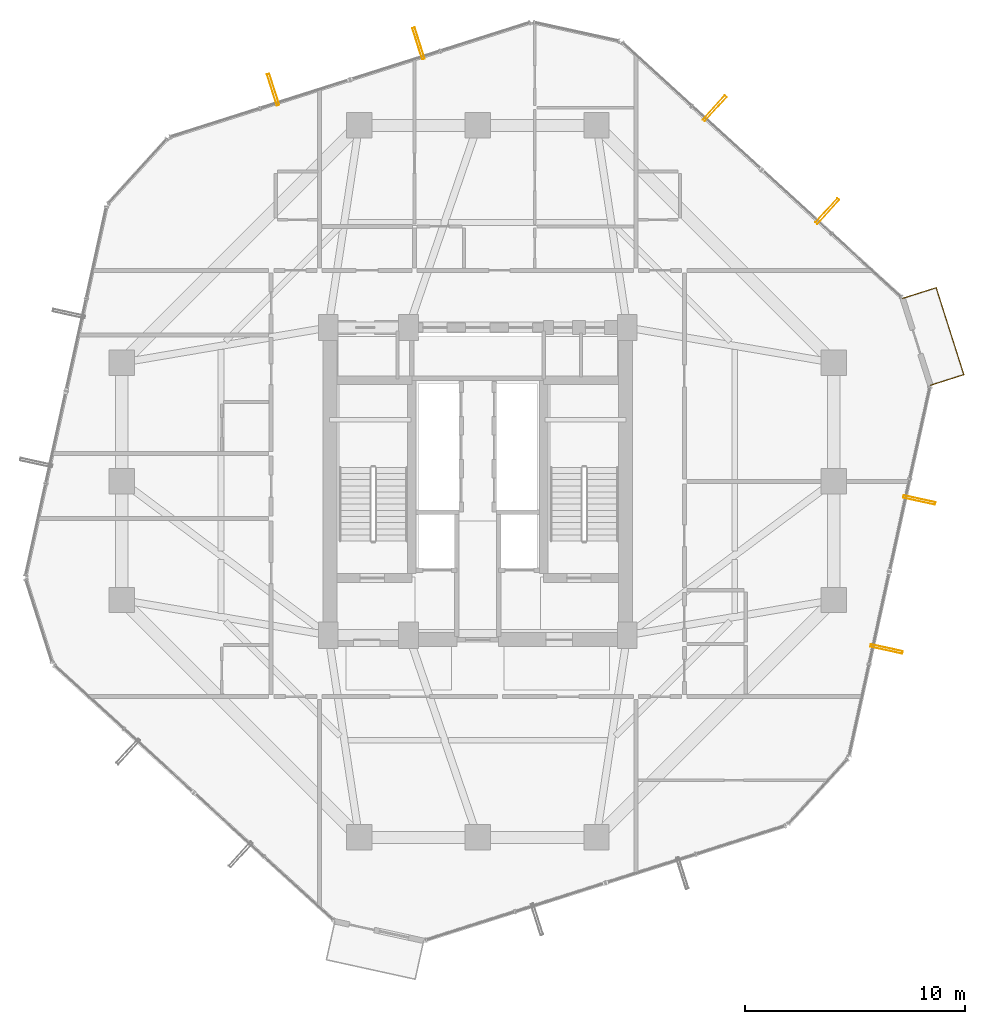
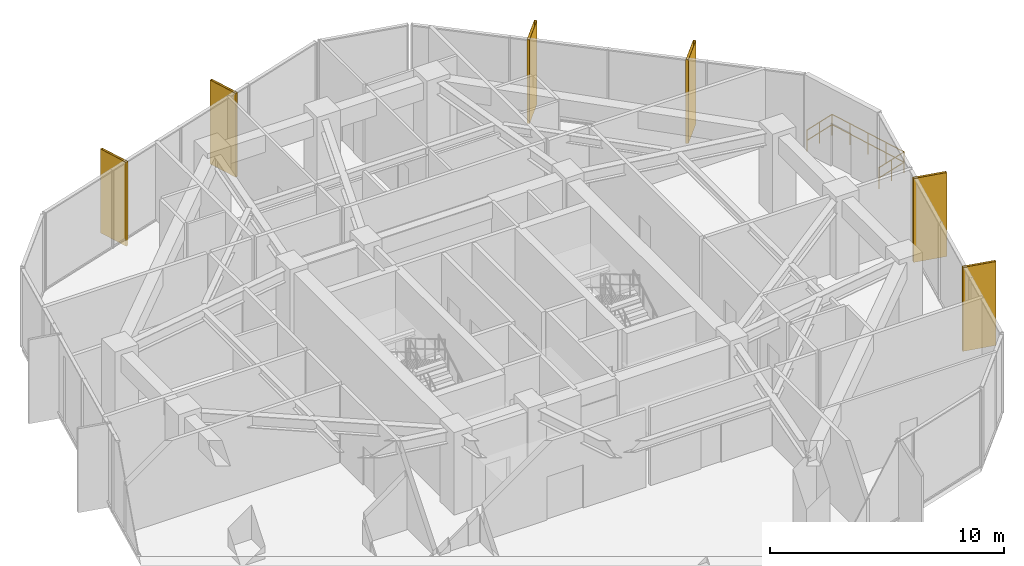
# One storey, part 28 of 28: 6 shading devices, 1 railing.
"""IFC4 building model written with IfcOpenShell, lengths in metres."""

from ifc_helpers import new_model, si_unit, direction, frame, origin, origin_2d, place, context, subcontext, project, spatial, hollow_rectangle, circle, extrude, material, material_profile, profile_set, type_object, element, save


model = new_model("IFC4")

# Units and contexts
model_context = context("Model", 3, precision=1e-05, world=origin(), true_north=direction((0.0, 1.0)))
body_context = subcontext(model_context, "Body", "Model", "MODEL_VIEW")
ifc_project = project(units=[si_unit("LENGTHUNIT", "METRE"), si_unit("AREAUNIT", "SQUARE_METRE"), si_unit("VOLUMEUNIT", "CUBIC_METRE"), si_unit("PLANEANGLEUNIT", "RADIAN"), si_unit("MASSUNIT", "GRAM", prefix="KILO")], contexts=[model_context])

# Site, building, storey
site_placement = place(None, origin())
site = spatial("IfcSite", under=ifc_project, at=site_placement, CompositionType="ELEMENT")
building_placement = place(site_placement, origin())
building = spatial("IfcBuilding", under=site, at=building_placement, Name="Veraguas Prism Commons", CompositionType="ELEMENT")
storey_placement = place(building_placement, frame((0.0, 0.0, 85.14990234375)))
storey = spatial("IfcBuildingStorey", under=building, at=storey_placement, Name="L23", CompositionType="ELEMENT", Elevation=85.14990234375)

# Shading devices
ifc_material_1 = material(Name="Anodised aluminium EN AW-6063 T6", Category="aluminium")
ifc_material_profile = material_profile(ifc_material_1, hollow_rectangle(XDim=0.1201171875, YDim=1.489990234375, WallThickness=0.006103515625, at=origin_2d()), Name="FIN120X1490X6")
ifc_profile_set = profile_set([ifc_material_profile], Name="Anodised aluminium EN AW-6063 T6")
shading_device_type = type_object("IfcShadingDeviceType", Name="Deep Pale-Metal Vertical Solar Fin 120x1490", PredefinedType="USERDEFINED", material=ifc_profile_set)
for number, where, z_axis, x_axis, name in (
    (1, (39.91064453125, 36.297607421875, -0.2998046875), (0.0, 0.0, 1.0), (-0.738924736523, 0.673787973887, 0.0), "Vertical Pale-Metal Solar Fin L23-F1A"),
    (2, (34.78125, 40.974853515625, -0.2998046875), (0.0, 0.0, 1.0), (-0.738924736523, 0.673787973887, 0.0), "Vertical Pale-Metal Solar Fin L23-F1B"),
    (3, (21.305419921875, 43.927978515625, -0.2998046875), (0.0, 0.0, 1.0), (-0.952978812619, -0.303036932895, 0.0), "Vertical Pale-Metal Solar Fin L23-F2A"),
    (4, (14.68994140625, 41.82421875, -0.2998046875), (0.0, 0.0, 1.0), (-0.952978812619, -0.303036932895, 0.0), "Vertical Pale-Metal Solar Fin L23-F2B"),
    (5, (42.60546875, 16.36962890625, -0.2998046875), (0.0, 0.0, 1.0), (0.214050019261, 0.976822701034, 0.0), "Vertical Pale-Metal Solar Fin L23-F6A"),
    (6, (44.09130859375, 23.150634765625, -0.2998046875), (0.0, 0.0, 1.0), (0.214050019261, 0.976822701034, 0.0), "Vertical Pale-Metal Solar Fin L23-F6B"),
):
    element("IfcShadingDevice", number, at=place(storey_placement, frame(where, z_axis=z_axis, x_axis=x_axis)), inside=storey, type_object=shading_device_type, Name=name, ObjectType="FIN", PredefinedType="USERDEFINED", context=body_context, shape_type="SweptSolid", body=[
        extrude(hollow_rectangle(XDim=0.1201171875, YDim=1.489990234375, WallThickness=0.006103515625, at=origin_2d()), origin(), (0.0, 0.0, 1.0), 4.369873046875),
    ])

# Railing
ifc_material_2 = material(Name="Stainless steel AISI 316", Category="steel")
railing_type = type_object("IfcRailingType", Name="Loggia and Sky Pool Glazed Balustrade 1120", PredefinedType="BALUSTRADE", material=ifc_material_2)
railing_placement = place(storey_placement, frame((44.59521484375, 28.3701171875, 0.0)))
element("IfcRailing", 7, at=railing_placement, inside=storey, type_object=railing_type, Name="Recessed Corner Loggia L23-C1 Guard", PredefinedType="BALUSTRADE", context=body_context, shape_type="SweptSolid", body=[
    extrude(circle(Radius=0.02392578125, at=origin_2d()), frame((0.0, 0.0, 1.09619140625), z_axis=(0.953029926381, 0.302876145352, 0.0), x_axis=(-0.302876145352, 0.953029926381, 0.0)), (0.0, 0.0, 1.0), 1.60009765625),
    extrude(circle(Radius=0.02392578125, at=origin_2d()), frame((0.0, 0.0, 0.56005859375), z_axis=(0.953029926381, 0.302876145352, 0.0), x_axis=(-0.302876145352, 0.953029926381, 0.0)), (0.0, 0.0, 1.0), 1.60009765625),
    extrude(circle(Radius=0.02392578125, at=origin_2d()), frame((1.52490234375, 0.484619140625, 1.09619140625), z_axis=(-0.303041081851, 0.952977493286, 0.0), x_axis=(-0.952977493286, -0.303041081851, 0.0)), (0.0, 0.0, 1.0), 4.153076171875),
    extrude(circle(Radius=0.02392578125, at=origin_2d()), frame((1.52490234375, 0.484619140625, 0.56005859375), z_axis=(-0.303041081851, 0.952977493286, 0.0), x_axis=(-0.952977493286, -0.303041081851, 0.0)), (0.0, 0.0, 1.0), 4.153076171875),
    extrude(circle(Radius=0.02392578125, at=origin_2d()), frame((0.266357421875, 4.4423828125, 1.09619140625), z_axis=(-0.953029926381, -0.302876145352, 0.0), x_axis=(0.302876145352, -0.953029926381, 0.0)), (0.0, 0.0, 1.0), 1.60009765625),
    extrude(circle(Radius=0.02392578125, at=origin_2d()), frame((0.266357421875, 4.4423828125, 0.56005859375), z_axis=(-0.953029926381, -0.302876145352, 0.0), x_axis=(0.302876145352, -0.953029926381, 0.0)), (0.0, 0.0, 1.0), 1.60009765625),
    extrude(circle(Radius=0.02099609375, at=origin_2d()), origin(), (0.0, 0.0, 1.0), 1.072021484375),
    extrude(circle(Radius=0.02099609375, at=origin_2d()), frame((0.762451171875, 0.2421875, 0.0)), (0.0, 0.0, 1.0), 1.072021484375),
    extrude(circle(Radius=0.02099609375, at=origin_2d()), frame((1.52490234375, 0.484619140625, 0.0)), (0.0, 0.0, 1.0), 1.072021484375),
    extrude(circle(Radius=0.02099609375, at=origin_2d()), frame((1.210205078125, 1.47412109375, 0.0)), (0.0, 0.0, 1.0), 1.072021484375),
    extrude(circle(Radius=0.02099609375, at=origin_2d()), frame((0.8955078125, 2.46337890625, 0.0)), (0.0, 0.0, 1.0), 1.072021484375),
    extrude(circle(Radius=0.02099609375, at=origin_2d()), frame((0.5810546875, 3.452880859375, 0.0)), (0.0, 0.0, 1.0), 1.072021484375),
    extrude(circle(Radius=0.02099609375, at=origin_2d()), frame((0.266357421875, 4.4423828125, 0.0)), (0.0, 0.0, 1.0), 1.072021484375),
    extrude(circle(Radius=0.02099609375, at=origin_2d()), frame((-0.49609375, 4.2001953125, 0.0)), (0.0, 0.0, 1.0), 1.072021484375),
    extrude(circle(Radius=0.02099609375, at=origin_2d()), frame((-1.258544921875, 3.957763671875, 0.0)), (0.0, 0.0, 1.0), 1.072021484375),
])

save(model, "model.ifc")
